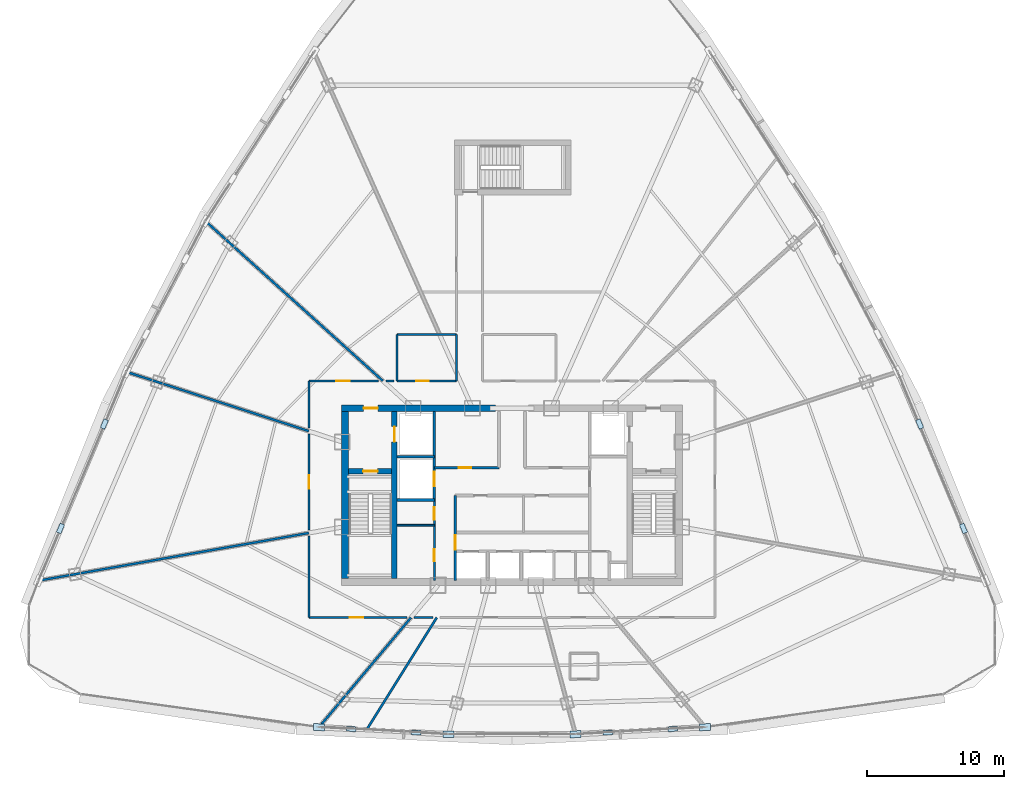
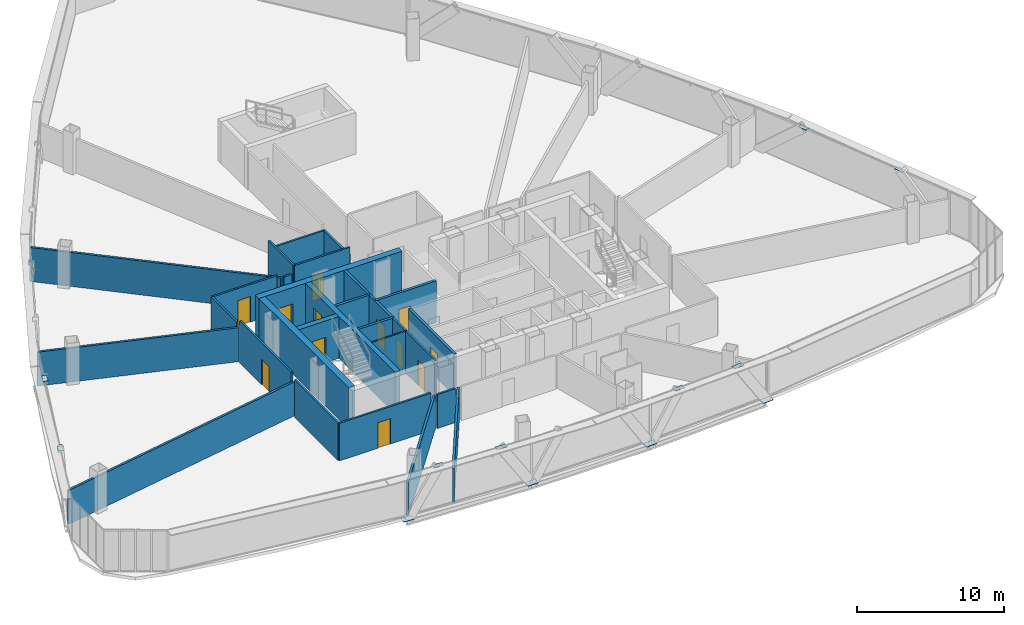
# One storey, part 30 of 37: 27 walls, 12 doors, 12 plates, 12 openings.
"""IFC4 building model written with IfcOpenShell, lengths in metres."""

from ifc_helpers import new_model, si_unit, direction, frame, frame_2d, origin, origin_with_axes, origin_2d, place, context, subcontext, project, spatial, rectangle, extrude, source, transform, mapped, material, layer, layer_set, type_object, element, fill, save


model = new_model("IFC4")

# Units and contexts
model_context = context("Model", 3, precision=1e-05, world=origin(), true_north=direction((0.0, 1.0)))
body_context = subcontext(model_context, "Body", "Model", "MODEL_VIEW")
ifc_project = project(units=[si_unit("LENGTHUNIT", "METRE"), si_unit("AREAUNIT", "SQUARE_METRE"), si_unit("VOLUMEUNIT", "CUBIC_METRE"), si_unit("PLANEANGLEUNIT", "RADIAN"), si_unit("MASSUNIT", "GRAM", prefix="KILO"), si_unit("THERMODYNAMICTEMPERATUREUNIT", "KELVIN"), si_unit("POWERUNIT", "WATT")], contexts=[model_context])

# Site, building, storey
site_placement = place(None, origin())
site = spatial("IfcSite", under=ifc_project, at=site_placement, CompositionType="ELEMENT")
building_placement = place(site_placement, origin())
building = spatial("IfcBuilding", under=site, at=building_placement, Name="Yunzhuo Pagoda Commons", CompositionType="ELEMENT")
storey_placement = place(building_placement, frame((0.0, 0.0, 240.800048828125)))
storey = spatial("IfcBuildingStorey", under=building, at=storey_placement, Name="L60", CompositionType="ELEMENT", Elevation=240.800048828125)

# Plates
ifc_material_1 = material(Name="Structural steel Q355B", Category="steel")
ifc_layer_1 = layer(ifc_material_1, 0.028076171875)
ifc_layer_set_1 = layer_set([ifc_layer_1], Name="Structural steel Q355B")
plate_type = type_object("IfcPlateType", Name="SP-ND1 Lattice Node Cap Plate 800x500x28", PredefinedType="USERDEFINED", material=ifc_layer_set_1)
shared_shape_1 = source(origin(), body_context, "Body", "SweptSolid", [
    extrude(rectangle(XDim=0.800048828125, YDim=0.5, at=origin_2d()), origin(), (0.0, 0.0, 1.0), 0.028076171875),
])
for number, where, z_axis, x_axis, name in (
    (1, (33.890869140625, 16.88525390625, -0.27392578125), (0.0, 0.0, 1.0), (0.998513930245, -0.054497074291, 0.0), "L60 diamond node plate F1.1A"),
    (2, (43.356201171875, 16.36865234375, -0.27392578125), (0.0, 0.0, 1.0), (1.0, 0.0, 0.0), "L60 diamond node plate F1.2A"),
    (3, (52.643798828125, 16.36865234375, -0.27392578125), (0.0, 0.0, 1.0), (0.998513930245, 0.054497074291, 0.0), "L60 diamond node plate F1.3A"),
    (4, (62.109130859375, 16.88525390625, -0.27392578125), (0.0, 0.0, 1.0), (0.998513930245, 0.054497074291, 0.0), "L60 diamond node plate F1.3B"),
):
    element("IfcPlate", number, at=place(storey_placement, frame(where, z_axis=z_axis, x_axis=x_axis)), inside=storey, type_object=plate_type, Name=name, ObjectType="STIFFENER_PLATE", PredefinedType="USERDEFINED", context=body_context, shape_type="MappedRepresentation", body=[
        mapped(shared_shape_1, transform((0.0, 0.0, 0.0), scale=1.0)),
    ])
shared_shape_2 = source(origin(), body_context, "Body", "SweptSolid", [
    extrude(rectangle(XDim=0.699951171875, YDim=0.35009765625, at=origin_2d()), origin(), (0.0, 0.0, 1.0), 0.035888671875),
])
for number, where, z_axis, x_axis, name in (
    (5, (36.257080078125, 16.756103515625, 3.43212890625), (0.0, 0.0, 1.0), (0.998513930245, -0.054497074291, 0.0), "L60 setback lattice tie plate F1.1L"),
    (6, (40.98974609375, 16.497802734375, 3.43212890625), (0.0, 0.0, 1.0), (0.998513930245, -0.054497074291, 0.0), "L60 setback lattice tie plate F1.1R"),
    (7, (55.01025390625, 16.497802734375, 3.43212890625), (0.0, 0.0, 1.0), (0.998513930245, 0.054497074291, 0.0), "L60 setback lattice tie plate F1.3L"),
    (8, (59.742919921875, 16.756103515625, 3.43212890625), (0.0, 0.0, 1.0), (0.998513930245, 0.054497074291, 0.0), "L60 setback lattice tie plate F1.3R"),
    (9, (81.002197265625, 31.4140625, 3.43212890625), (0.0, 0.0, 1.0), (-0.387177679939, 0.922005121546, 0.0), "L60 setback lattice tie plate F2.1L"),
    (10, (77.797607421875, 39.04541015625, 3.43212890625), (0.0, 0.0, 1.0), (-0.387177679939, 0.922005121546, 0.0), "L60 setback lattice tie plate F2.1R"),
    (11, (18.202392578125, 39.04541015625, 3.43212890625), (0.0, 0.0, 1.0), (-0.387177679939, -0.922005121546, 0.0), "L60 setback lattice tie plate F3.3L"),
    (12, (14.997802734375, 31.4140625, 3.43212890625), (0.0, 0.0, 1.0), (-0.387177679939, -0.922005121546, 0.0), "L60 setback lattice tie plate F3.3R"),
):
    element("IfcPlate", number, at=place(storey_placement, frame(where, z_axis=z_axis, x_axis=x_axis)), inside=storey, type_object=plate_type, Name=name, ObjectType="STIFFENER_PLATE", PredefinedType="USERDEFINED", context=body_context, shape_type="MappedRepresentation", body=[
        mapped(shared_shape_2, transform((0.0, 0.0, 0.0), scale=1.0)),
    ])

# Wall, opening, door
ifc_material_2 = material(Name="Concrete C50", Category="concrete")
ifc_layer_2 = layer(ifc_material_2, 0.5)
ifc_layer_set_2 = layer_set([ifc_layer_2], Name="Concrete C50")
wall_type_1 = type_object("IfcWallType", Name="W-C03 Upper Core Shear Wall 500", PredefinedType="SHEAR", material=ifc_layer_set_2)
wall_1_placement = place(storey_placement, frame((35.550048828125, 40.199951171875, 0.0), z_axis=(0.0, 0.0, 1.0), x_axis=(1.0, 0.0, 0.0)))
wall_1 = element("IfcWall", 13, at=wall_1_placement, inside=storey, type_object=wall_type_1, Name="L60 core shear wall NW", PredefinedType="SHEAR", context=body_context, shape_type="SweptSolid", body=[
    extrude(rectangle(XDim=11.25, YDim=0.5, at=frame_2d((5.625, 0.0))), origin(), (0.0, 0.0, 1.0), 3.469970703125),
])
opening_1_placement = place(wall_1_placement, frame((1.60009765625, 0.0, 0.0)))
opening_1 = element("IfcOpeningElement", 14, at=opening_1_placement, cuts=wall_1, Name="Opening D-02", PredefinedType="OPENING", context=body_context, shape_type="SweptSolid", body=[
    extrude(rectangle(XDim=1.050048828125, YDim=2.10009765625, at=frame_2d((0.52490234375, 1.050048828125))), frame((0.0, 0.260009765625, 0.0), z_axis=(0.0, -1.0, 0.0), x_axis=(1.0, 0.0, 0.0)), (0.0, 0.0, 1.0), 0.52001953125),
])
ifc_material_3 = material(Name="Galvanized fire-resisting metal leaf")
door_type_1 = type_object("IfcDoorType", Name="D-02 Firefighting Lobby & Refuge Fire Door 1050x2100", OperationType="NOTDEFINED", PredefinedType="DOOR", material=ifc_material_3)
shared_shape_3 = source(origin(), body_context, "Body", "SweptSolid", [
    extrude(rectangle(XDim=1.050048828125, YDim=2.10009765625, at=frame_2d((0.52490234375, 1.050048828125))), frame((0.0, 0.02490234375, 0.0), z_axis=(0.0, -1.0, 0.0), x_axis=(1.0, 0.0, 0.0)), (0.0, 0.0, 1.0), 0.050048828125),
])
door_1_placement = place(opening_1_placement, frame((1.050048828125, 0.0, 0.0), z_axis=(0.0, 0.0, 1.0), x_axis=(-1.0, 0.0, 0.0)))
door_1 = element("IfcDoor", 15, at=door_1_placement, inside=storey, type_object=door_type_1, Name="L60 Firefighting Lobby 1 fire door", OperationType="SINGLE_SWING_LEFT", OverallHeight=2.10009765625, OverallWidth=1.050048828125, PredefinedType="DOOR", context=body_context, shape_type="MappedRepresentation", body=[
    mapped(shared_shape_3, transform((0.0, 0.0, 0.0), scale=1.0)),
])
fill(opening_1, door_1)

# Wall
wall_2_placement = place(storey_placement, frame((35.800048828125, 27.75, 0.0), z_axis=(0.0, 0.0, 1.0), x_axis=(0.0, 1.0, 0.0)))
element("IfcWall", 16, at=wall_2_placement, inside=storey, type_object=wall_type_1, Name="L60 core shear wall W", PredefinedType="SHEAR", context=body_context, shape_type="SweptSolid", body=[
    extrude(rectangle(XDim=12.199951171875, YDim=0.5, at=frame_2d((6.10009765625, 0.0))), origin(), (0.0, 0.0, 1.0), 3.469970703125),
])

# Wall, openings, doors
ifc_material_4 = material(Name="Gypsum plasterboard on acoustic stud")
ifc_layer_3 = layer(ifc_material_4, 0.14990234375)
ifc_layer_set_3 = layer_set([ifc_layer_3], Name="Gypsum plasterboard on acoustic stud")
wall_type_2 = type_object("IfcWallType", Name="W-COR3 High-Zone Rated Corridor Wall 150", PredefinedType="PARTITIONING", material=ifc_layer_set_3)
wall_3_placement = place(storey_placement, frame((42.320068359375, 27.60009765625, 0.0), z_axis=(0.0, 0.0, 1.0), x_axis=(0.0, 1.0, 0.0)))
wall_3 = element("IfcWall", 17, at=wall_3_placement, inside=storey, type_object=wall_type_2, Name="L60 interior wall IW-L60-CSWE", PredefinedType="PARTITIONING", context=body_context, shape_type="SweptSolid", body=[
    extrude(rectangle(XDim=5.89990234375, YDim=0.14990234375, at=frame_2d((2.949951171875, 0.0))), origin(), (0.0, 0.0, 1.0), 3.469970703125),
])
opening_2_placement = place(wall_3_placement, frame((1.39990234375, 0.0, 0.0)))
opening_2 = element("IfcOpeningElement", 18, at=opening_2_placement, cuts=wall_3, Name="Opening D-03", PredefinedType="OPENING", context=body_context, shape_type="SweptSolid", body=[
    extrude(rectangle(XDim=0.89990234375, YDim=2.10009765625, at=frame_2d((0.449951171875, 1.050048828125))), frame((0.0, 0.0849609375, 0.0), z_axis=(0.0, -1.0, 0.0), x_axis=(1.0, 0.0, 0.0)), (0.0, 0.0, 1.0), 0.169921875),
])
opening_3_placement = place(wall_3_placement, frame((4.449951171875, 0.0, 0.0)))
opening_3 = element("IfcOpeningElement", 19, at=opening_3_placement, cuts=wall_3, Name="Opening D-03", PredefinedType="OPENING", context=body_context, shape_type="SweptSolid", body=[
    extrude(rectangle(XDim=0.89990234375, YDim=2.10009765625, at=frame_2d((0.449951171875, 1.050048828125))), frame((0.0, 0.0849609375, 0.0), z_axis=(0.0, -1.0, 0.0), x_axis=(1.0, 0.0, 0.0)), (0.0, 0.0, 1.0), 0.169921875),
])
door_type_2 = type_object("IfcDoorType", Name="D-03 Core Service Fire Door 900x2100", OperationType="NOTDEFINED", PredefinedType="DOOR", material=ifc_material_3)
shared_shape_4 = source(origin(), body_context, "Body", "SweptSolid", [
    extrude(rectangle(XDim=0.89990234375, YDim=2.10009765625, at=frame_2d((0.449951171875, 1.050048828125))), frame((0.0, 0.02490234375, 0.0), z_axis=(0.0, -1.0, 0.0), x_axis=(1.0, 0.0, 0.0)), (0.0, 0.0, 1.0), 0.050048828125),
])
door_2_placement = place(opening_2_placement, origin_with_axes())
door_2 = element("IfcDoor", 20, at=door_2_placement, inside=storey, type_object=door_type_2, Name="L60 service store door", OperationType="SINGLE_SWING_LEFT", OverallHeight=2.10009765625, OverallWidth=0.89990234375, PredefinedType="DOOR", context=body_context, shape_type="MappedRepresentation", body=[
    mapped(shared_shape_4, transform((0.0, 0.0, 0.0), scale=1.0)),
])
fill(opening_2, door_2)
door_3_placement = place(opening_3_placement, origin_with_axes())
door_3 = element("IfcDoor", 21, at=door_3_placement, inside=storey, type_object=door_type_2, Name="L60 switch closet door", OperationType="SINGLE_SWING_RIGHT", OverallHeight=2.10009765625, OverallWidth=0.89990234375, PredefinedType="DOOR", context=body_context, shape_type="MappedRepresentation", body=[
    mapped(shared_shape_4, transform((0.0, 0.0, 0.0), scale=1.0)),
])
fill(opening_3, door_3)

# Wall, opening, door
wall_4_placement = place(storey_placement, frame((39.60009765625, 42.199951171875, 0.0), z_axis=(0.0, 0.0, 1.0), x_axis=(1.0, 0.0, 0.0)))
wall_4 = element("IfcWall", 22, at=wall_4_placement, inside=storey, type_object=wall_type_2, Name="L60 interior wall IW-L60-TFWS", PredefinedType="PARTITIONING", context=body_context, shape_type="SweptSolid", body=[
    extrude(rectangle(XDim=4.349853515625, YDim=0.14990234375, at=frame_2d((2.1748046875, 0.0))), origin(), (0.0, 0.0, 1.0), 3.469970703125),
])
opening_4_placement = place(wall_4_placement, frame((1.39990234375, 0.0, 0.0)))
opening_4 = element("IfcOpeningElement", 23, at=opening_4_placement, cuts=wall_4, Name="Opening D-04", PredefinedType="OPENING", context=body_context, shape_type="SweptSolid", body=[
    extrude(rectangle(XDim=0.919921875, YDim=2.10009765625, at=frame_2d((0.4599609375, 1.050048828125))), frame((0.0, 0.0849609375, 0.0), z_axis=(0.0, -1.0, 0.0), x_axis=(1.0, 0.0, 0.0)), (0.0, 0.0, 1.0), 0.169921875),
])
ifc_material_5 = material(Name="Powder-coated aluminium and timber acoustic leaf", Category="wood")
door_type_3 = type_object("IfcDoorType", Name="D-04 Bedroom & Study Interior Door 920x2100", OperationType="NOTDEFINED", PredefinedType="DOOR", material=ifc_material_5)
shared_shape_5 = source(origin(), body_context, "Body", "SweptSolid", [
    extrude(rectangle(XDim=0.919921875, YDim=2.10009765625, at=frame_2d((0.4599609375, 1.050048828125))), frame((0.0, 0.02490234375, 0.0), z_axis=(0.0, -1.0, 0.0), x_axis=(1.0, 0.0, 0.0)), (0.0, 0.0, 1.0), 0.050048828125),
])
door_4_placement = place(opening_4_placement, frame((0.919921875, 0.0, 0.0), z_axis=(0.0, 0.0, 1.0), x_axis=(-1.0, 0.0, 0.0)))
door_4 = element("IfcDoor", 24, at=door_4_placement, inside=storey, type_object=door_type_3, Name="L60 laundry door", OperationType="SINGLE_SWING_LEFT", OverallHeight=2.10009765625, OverallWidth=0.919921875, PredefinedType="DOOR", context=body_context, shape_type="MappedRepresentation", body=[
    mapped(shared_shape_5, transform((0.0, 0.0, 0.0), scale=1.0)),
])
fill(opening_4, door_4)

# Walls
wall_5_placement = place(storey_placement, frame((39.60009765625, 45.60009765625, 0.0), z_axis=(0.0, 0.0, 1.0), x_axis=(1.0, 0.0, 0.0)))
element("IfcWall", 25, at=wall_5_placement, inside=storey, type_object=wall_type_2, Name="L60 interior wall IW-L60-TFWN", PredefinedType="PARTITIONING", context=body_context, shape_type="SweptSolid", body=[
    extrude(rectangle(XDim=4.349853515625, YDim=0.14990234375, at=frame_2d((2.1748046875, 0.0))), origin(), (0.0, 0.0, 1.0), 2.820068359375),
])
wall_6_placement = place(storey_placement, frame((39.60009765625, 42.199951171875, 0.0), z_axis=(0.0, 0.0, 1.0), x_axis=(0.0, 1.0, 0.0)))
element("IfcWall", 26, at=wall_6_placement, inside=storey, type_object=wall_type_2, Name="L60 interior wall IW-L60-TFWW", PredefinedType="PARTITIONING", context=body_context, shape_type="SweptSolid", body=[
    extrude(rectangle(XDim=3.400146484375, YDim=0.14990234375, at=frame_2d((1.7001953125, 0.0))), origin(), (0.0, 0.0, 1.0), 3.469970703125),
])
wall_7_placement = place(storey_placement, frame((43.949951171875, 42.199951171875, 0.0), z_axis=(0.0, 0.0, 1.0), x_axis=(0.0, 1.0, 0.0)))
element("IfcWall", 27, at=wall_7_placement, inside=storey, type_object=wall_type_2, Name="L60 interior wall IW-L60-TFWE", PredefinedType="PARTITIONING", context=body_context, shape_type="SweptSolid", body=[
    extrude(rectangle(XDim=3.400146484375, YDim=0.14990234375, at=frame_2d((1.7001953125, 0.0))), origin(), (0.0, 0.0, 1.0), 2.820068359375),
])
wall_8_placement = place(storey_placement, frame((33.14990234375, 24.89990234375, 0.0), z_axis=(0.0, 0.0, 1.0), x_axis=(0.0, 1.0, 0.0)))
element("IfcWall", 28, at=wall_8_placement, inside=storey, type_object=wall_type_2, Name="L60 interior wall IW-L60-CWL01", PredefinedType="PARTITIONING", context=body_context, shape_type="SweptSolid", body=[
    extrude(rectangle(XDim=5.958251953125, YDim=0.14990234375, at=frame_2d((2.97900390625, 0.0))), origin(), (0.0, 0.0, 1.0), 3.119873046875),
])

# Wall, opening, door
wall_9_placement = place(storey_placement, frame((33.14990234375, 31.30126953125, 0.0), z_axis=(0.0, 0.0, 1.0), x_axis=(0.0, 1.0, 0.0)))
wall_9 = element("IfcWall", 29, at=wall_9_placement, inside=storey, type_object=wall_type_2, Name="L60 interior wall IW-L60-CWL02", PredefinedType="PARTITIONING", context=body_context, shape_type="SweptSolid", body=[
    extrude(rectangle(XDim=7.004150390625, YDim=0.14990234375, at=frame_2d((3.501953125, 0.0))), origin(), (0.0, 0.0, 1.0), 3.469970703125),
])
opening_5_placement = place(wall_9_placement, frame((3.027099609375, 0.0, 0.0)))
opening_5 = element("IfcOpeningElement", 30, at=opening_5_placement, cuts=wall_9, Name="Opening D-08", PredefinedType="OPENING", context=body_context, shape_type="SweptSolid", body=[
    extrude(rectangle(XDim=0.97998046875, YDim=2.1201171875, at=frame_2d((0.489990234375, 1.06005859375))), frame((0.0, 0.0849609375, 0.0), z_axis=(0.0, -1.0, 0.0), x_axis=(1.0, 0.0, 0.0)), (0.0, 0.0, 1.0), 0.169921875),
])
door_type_4 = type_object("IfcDoorType", Name="D-08 High-Zone Suite Entrance Fire Door 980x2120", OperationType="NOTDEFINED", PredefinedType="DOOR", material=ifc_material_3)
shared_shape_6 = source(origin(), body_context, "Body", "SweptSolid", [
    extrude(rectangle(XDim=0.97998046875, YDim=2.1201171875, at=frame_2d((0.489990234375, 1.06005859375))), frame((0.0, 0.02490234375, 0.0), z_axis=(0.0, -1.0, 0.0), x_axis=(1.0, 0.0, 0.0)), (0.0, 0.0, 1.0), 0.050048828125),
])
door_5_placement = place(opening_5_placement, origin_with_axes())
door_5 = element("IfcDoor", 31, at=door_5_placement, inside=storey, type_object=door_type_4, Name="L60 unit 07 entrance door", OperationType="SINGLE_SWING_RIGHT", OverallHeight=2.1201171875, OverallWidth=0.97998046875, PredefinedType="DOOR", context=body_context, shape_type="MappedRepresentation", body=[
    mapped(shared_shape_6, transform((0.0, 0.0, 0.0), scale=1.0)),
])
fill(opening_5, door_5)

# Wall
wall_10_placement = place(storey_placement, frame((33.14990234375, 38.75634765625, 0.0), z_axis=(0.0, 0.0, 1.0), x_axis=(0.0, 1.0, 0.0)))
element("IfcWall", 32, at=wall_10_placement, inside=storey, type_object=wall_type_2, Name="L60 interior wall IW-L60-CWL03", PredefinedType="PARTITIONING", context=body_context, shape_type="SweptSolid", body=[
    extrude(rectangle(XDim=3.443603515625, YDim=0.14990234375, at=frame_2d((1.7216796875, 0.0))), origin(), (0.0, 0.0, 1.0), 3.119873046875),
])

# Wall, opening, door
wall_11_placement = place(storey_placement, frame((33.14990234375, 42.199951171875, 0.0), z_axis=(0.0, 0.0, 1.0), x_axis=(1.0, 0.0, 0.0)))
wall_11 = element("IfcWall", 33, at=wall_11_placement, inside=storey, type_object=wall_type_2, Name="L60 interior wall IW-L60-CWL04", PredefinedType="PARTITIONING", context=body_context, shape_type="SweptSolid", body=[
    extrude(rectangle(XDim=5.0810546875, YDim=0.14990234375, at=frame_2d((2.54052734375, 0.0))), origin(), (0.0, 0.0, 1.0), 3.119873046875),
])
opening_6_placement = place(wall_11_placement, frame((2.0, 0.0, 0.0)))
opening_6 = element("IfcOpeningElement", 34, at=opening_6_placement, cuts=wall_11, Name="Opening D-08", PredefinedType="OPENING", context=body_context, shape_type="SweptSolid", body=[
    extrude(rectangle(XDim=0.97998046875, YDim=2.1201171875, at=frame_2d((0.489990234375, 1.06005859375))), frame((0.0, 0.0849609375, 0.0), z_axis=(0.0, -1.0, 0.0), x_axis=(1.0, 0.0, 0.0)), (0.0, 0.0, 1.0), 0.169921875),
])
door_6_placement = place(opening_6_placement, origin_with_axes())
door_6 = element("IfcDoor", 35, at=door_6_placement, inside=storey, type_object=door_type_4, Name="L60 unit 06 entrance door", OperationType="SINGLE_SWING_LEFT", OverallHeight=2.1201171875, OverallWidth=0.97998046875, PredefinedType="DOOR", context=body_context, shape_type="MappedRepresentation", body=[
    mapped(shared_shape_6, transform((0.0, 0.0, 0.0), scale=1.0)),
])
fill(opening_6, door_6)

# Walls
wall_12_placement = place(storey_placement, frame((38.779541015625, 42.199951171875, 0.0), z_axis=(0.0, 0.0, 1.0), x_axis=(1.0, 0.0, 0.0)))
element("IfcWall", 36, at=wall_12_placement, inside=storey, type_object=wall_type_2, Name="L60 interior wall IW-L60-CWL05", PredefinedType="PARTITIONING", context=body_context, shape_type="SweptSolid", body=[
    extrude(rectangle(XDim=0.600341796875, YDim=0.14990234375, at=frame_2d((0.30029296875, 0.0))), origin(), (0.0, 0.0, 1.0), 2.820068359375),
])
wall_13_placement = place(storey_placement, frame((42.24169921875, 24.89990234375, 0.0), z_axis=(0.0, 0.0, 1.0), x_axis=(-1.0, 0.0, 0.0)))
element("IfcWall", 37, at=wall_13_placement, inside=storey, type_object=wall_type_2, Name="L60 interior wall IW-L60-CWL17", PredefinedType="PARTITIONING", context=body_context, shape_type="SweptSolid", body=[
    extrude(rectangle(XDim=1.406005859375, YDim=0.14990234375, at=frame_2d((0.703125, 0.0))), origin(), (0.0, 0.0, 1.0), 2.820068359375),
])

# Wall, opening, door
wall_14_placement = place(storey_placement, frame((40.32861328125, 24.89990234375, 0.0), z_axis=(0.0, 0.0, 1.0), x_axis=(-1.0, 0.0, 0.0)))
wall_14 = element("IfcWall", 38, at=wall_14_placement, inside=storey, type_object=wall_type_2, Name="L60 interior wall IW-L60-CWL18", PredefinedType="PARTITIONING", context=body_context, shape_type="SweptSolid", body=[
    extrude(rectangle(XDim=7.1787109375, YDim=0.14990234375, at=frame_2d((3.58935546875, 0.0))), origin(), (0.0, 0.0, 1.0), 3.119873046875),
])
opening_7_placement = place(wall_14_placement, frame((3.20068359375, 0.0, 0.0)))
opening_7 = element("IfcOpeningElement", 39, at=opening_7_placement, cuts=wall_14, Name="Opening D-08", PredefinedType="OPENING", context=body_context, shape_type="SweptSolid", body=[
    extrude(rectangle(XDim=0.97998046875, YDim=2.1201171875, at=frame_2d((0.489990234375, 1.06005859375))), frame((0.0, 0.0849609375, 0.0), z_axis=(0.0, -1.0, 0.0), x_axis=(1.0, 0.0, 0.0)), (0.0, 0.0, 1.0), 0.169921875),
])
door_7_placement = place(opening_7_placement, origin_with_axes())
door_7 = element("IfcDoor", 40, at=door_7_placement, inside=storey, type_object=door_type_4, Name="L60 unit 08 entrance door", OperationType="SINGLE_SWING_LEFT", OverallHeight=2.1201171875, OverallWidth=0.97998046875, PredefinedType="DOOR", context=body_context, shape_type="MappedRepresentation", body=[
    mapped(shared_shape_6, transform((0.0, 0.0, 0.0), scale=1.0)),
])
fill(opening_7, door_7)

# Walls
ifc_layer_4 = layer(ifc_material_4, 0.1201171875)
ifc_layer_set_4 = layer_set([ifc_layer_4], Name="Gypsum plasterboard on acoustic stud")
wall_type_3 = type_object("IfcWallType", Name="W-PRT1 Suite & Bathroom Partition 120", PredefinedType="PARTITIONING", material=ifc_layer_set_4)
wall_15_placement = place(storey_placement, frame((39.60009765625, 31.64990234375, 0.0), z_axis=(0.0, 0.0, 1.0), x_axis=(1.0, 0.0, 0.0)))
element("IfcWall", 41, at=wall_15_placement, inside=storey, type_object=wall_type_3, Name="L60 interior wall IW-L60-CD1", PredefinedType="PARTITIONING", context=body_context, shape_type="SweptSolid", body=[
    extrude(rectangle(XDim=2.719970703125, YDim=0.1201171875, at=frame_2d((1.35986328125, 0.0))), origin(), (0.0, 0.0, 1.0), 3.469970703125),
])
ifc_layer_5 = layer(ifc_material_4, 0.169921875)
ifc_layer_set_5 = layer_set([ifc_layer_5], Name="Gypsum plasterboard on acoustic stud")
wall_type_4 = type_object("IfcWallType", Name="W-PRT4 High-Zone Demising Wall 170", PredefinedType="PARTITIONING", material=ifc_layer_set_5)
wall_16_placement = place(storey_placement, frame((38.559814453125, 42.199951171875, 0.0), z_axis=(0.0, 0.0, 1.0), x_axis=(-0.743140424774, 0.669135493802, 0.0)))
element("IfcWall", 42, at=wall_16_placement, inside=storey, type_object=wall_type_4, Name="L60 interior wall IW-L60-RAD05", PredefinedType="PARTITIONING", context=body_context, shape_type="SweptSolid", body=[
    extrude(rectangle(XDim=17.454833984375, YDim=0.169921875, at=frame_2d((8.7275390625, 0.0))), origin(), (0.0, 0.0, 1.0), 2.820068359375),
])
wall_17_placement = place(storey_placement, frame((33.14990234375, 38.525146484375, 0.0), z_axis=(0.0, 0.0, 1.0), x_axis=(-0.951060404644, 0.309005027011, 0.0)))
element("IfcWall", 43, at=wall_17_placement, inside=storey, type_object=wall_type_4, Name="L60 interior wall IW-L60-RAD06", PredefinedType="PARTITIONING", context=body_context, shape_type="SweptSolid", body=[
    extrude(rectangle(XDim=14.031982421875, YDim=0.169921875, at=frame_2d((7.01611328125, 0.0))), origin(), (0.0, 0.0, 1.0), 2.820068359375),
])
wall_18_placement = place(storey_placement, frame((33.14990234375, 31.08154296875, 0.0), z_axis=(0.0, 0.0, 1.0), x_axis=(-0.984808421785, -0.173644384824, 0.0)))
element("IfcWall", 44, at=wall_18_placement, inside=storey, type_object=wall_type_4, Name="L60 interior wall IW-L60-RAD07", PredefinedType="PARTITIONING", context=body_context, shape_type="SweptSolid", body=[
    extrude(rectangle(XDim=20.05908203125, YDim=0.169921875, at=frame_2d((10.029541015625, 0.0))), origin(), (0.0, 0.0, 1.0), 2.820068359375),
])
wall_19_placement = place(storey_placement, frame((40.615966796875, 24.89990234375, 0.0), z_axis=(0.0, 0.0, 1.0), x_axis=(-0.642788120563, -0.766044014443, 0.0)))
element("IfcWall", 45, at=wall_19_placement, inside=storey, type_object=wall_type_4, Name="L60 interior wall IW-L60-RAD08", PredefinedType="PARTITIONING", context=body_context, shape_type="SweptSolid", body=[
    extrude(rectangle(XDim=10.46240234375, YDim=0.169921875, at=frame_2d((5.231201171875, 0.0))), origin(), (0.0, 0.0, 1.0), 2.820068359375),
])
wall_20_placement = place(storey_placement, frame((42.501220703125, 24.89990234375, 0.0), z_axis=(0.0, 0.0, 1.0), x_axis=(-0.529930889386, -0.848040831844, 0.0)))
element("IfcWall", 46, at=wall_20_placement, inside=storey, type_object=wall_type_4, Name="L60 interior wall IW-L60-RAD09", PredefinedType="PARTITIONING", context=body_context, shape_type="SweptSolid", body=[
    extrude(rectangle(XDim=9.6748046875, YDim=0.169921875, at=frame_2d((4.83740234375, 0.0))), origin(), (0.0, 0.0, 1.0), 2.820068359375),
])

# Wall, opening, door
ifc_material_6 = material(Name="Concrete C60", Category="concrete")
ifc_layer_6 = layer(ifc_material_6, 0.39990234375)
ifc_layer_set_6 = layer_set([ifc_layer_6], Name="Concrete C60")
wall_type_5 = type_object("IfcWallType", Name="W-S01 Internal Core Shear Web 400", PredefinedType="SHEAR", material=ifc_layer_set_6)
wall_21_placement = place(storey_placement, frame((39.39990234375, 27.75, 0.0), z_axis=(0.0, 0.0, 1.0), x_axis=(0.0, 1.0, 0.0)))
wall_21 = element("IfcWall", 47, at=wall_21_placement, inside=storey, type_object=wall_type_5, Name="L60 core shear wall WEBW", PredefinedType="SHEAR", context=body_context, shape_type="SweptSolid", body=[
    extrude(rectangle(XDim=12.199951171875, YDim=0.39990234375, at=frame_2d((6.10009765625, 0.0))), origin(), (0.0, 0.0, 1.0), 3.469970703125),
])
opening_8_placement = place(wall_21_placement, frame((10.0, 0.0, 0.0)))
opening_8 = element("IfcOpeningElement", 48, at=opening_8_placement, cuts=wall_21, Name="Opening LD-01", PredefinedType="OPENING", context=body_context, shape_type="SweptSolid", body=[
    extrude(rectangle(XDim=1.10009765625, YDim=2.10009765625, at=frame_2d((0.550048828125, 1.050048828125))), frame((0.0, 0.2099609375, 0.0), z_axis=(0.0, -1.0, 0.0), x_axis=(1.0, 0.0, 0.0)), (0.0, 0.0, 1.0), 0.419921875),
])
door_type_5 = type_object("IfcDoorType", Name="LD-01 Firefighting Lift Landing Door 1100x2100", OperationType="DOUBLE_DOOR_SLIDING", PredefinedType="DOOR", material=ifc_material_3)
shared_shape_7 = source(origin(), body_context, "Body", "SweptSolid", [
    extrude(rectangle(XDim=1.10009765625, YDim=2.10009765625, at=frame_2d((0.550048828125, 1.050048828125))), frame((0.0, 0.02490234375, 0.0), z_axis=(0.0, -1.0, 0.0), x_axis=(1.0, 0.0, 0.0)), (0.0, 0.0, 1.0), 0.050048828125),
])
door_8_placement = place(opening_8_placement, frame((1.10009765625, 0.0, 0.0), z_axis=(0.0, 0.0, 1.0), x_axis=(-1.0, 0.0, 0.0)))
door_8 = element("IfcDoor", 49, at=door_8_placement, inside=storey, type_object=door_type_5, Name="L60 Firefighting lift FL-1 landing door", OperationType="DOUBLE_DOOR_SLIDING", OverallHeight=2.10009765625, OverallWidth=1.10009765625, PredefinedType="DOOR", context=body_context, shape_type="MappedRepresentation", body=[
    mapped(shared_shape_7, transform((0.0, 0.0, 0.0), scale=1.0)),
])
fill(opening_8, door_8)

wall_22_placement = place(storey_placement, frame((36.050048828125, 35.60009765625, 0.0), z_axis=(0.0, 0.0, 1.0), x_axis=(1.0, 0.0, 0.0)))
wall_22 = element("IfcWall", 50, at=wall_22_placement, inside=storey, type_object=wall_type_5, Name="L60 core shear wall STW", PredefinedType="SHEAR", context=body_context, shape_type="SweptSolid", body=[
    extrude(rectangle(XDim=3.14990234375, YDim=0.39990234375, at=frame_2d((1.574951171875, 0.0))), origin(), (0.0, 0.0, 1.0), 3.469970703125),
])
opening_9_placement = place(wall_22_placement, frame((1.070068359375, 0.0, 0.0)))
opening_9 = element("IfcOpeningElement", 51, at=opening_9_placement, cuts=wall_22, Name="Opening D-01", PredefinedType="OPENING", context=body_context, shape_type="SweptSolid", body=[
    extrude(rectangle(XDim=1.050048828125, YDim=2.10009765625, at=frame_2d((0.52490234375, 1.050048828125))), frame((0.0, 0.2099609375, 0.0), z_axis=(0.0, -1.0, 0.0), x_axis=(1.0, 0.0, 0.0)), (0.0, 0.0, 1.0), 0.419921875),
])
door_type_6 = type_object("IfcDoorType", Name="D-01 Smokeproof Stair Fire Door 1050x2100", OperationType="NOTDEFINED", PredefinedType="DOOR", material=ifc_material_3)
door_9_placement = place(opening_9_placement, frame((1.050048828125, 0.0, 0.0), z_axis=(0.0, 0.0, 1.0), x_axis=(-1.0, 0.0, 0.0)))
door_9 = element("IfcDoor", 52, at=door_9_placement, inside=storey, type_object=door_type_6, Name="L60 Stair ST1 fire door", OperationType="SINGLE_SWING_LEFT", OverallHeight=2.10009765625, OverallWidth=1.050048828125, PredefinedType="DOOR", context=body_context, shape_type="MappedRepresentation", body=[
    mapped(shared_shape_3, transform((0.0, 0.0, 0.0), scale=1.0)),
])
fill(opening_9, door_9)

ifc_material_7 = material(Name="Concrete C40", Category="concrete")
ifc_layer_7 = layer(ifc_material_7, 0.199951171875)
ifc_layer_set_7 = layer_set([ifc_layer_7], Name="Concrete C40")
wall_type_6 = type_object("IfcWallType", Name="W-SHF Shaft & Stair Enclosure Wall 200", PredefinedType="SOLIDWALL", material=ifc_layer_set_7)
wall_23_placement = place(storey_placement, frame((42.320068359375, 33.5, 0.0), z_axis=(0.0, 0.0, 1.0), x_axis=(0.0, 1.0, 0.0)))
wall_23 = element("IfcWall", 53, at=wall_23_placement, inside=storey, type_object=wall_type_6, Name="L60 interior wall IW-L60-FL1E", PredefinedType="SOLIDWALL", context=body_context, shape_type="SweptSolid", body=[
    extrude(rectangle(XDim=6.449951171875, YDim=0.199951171875, at=frame_2d((3.22509765625, 0.0))), origin(), (0.0, 0.0, 1.0), 3.469970703125),
])
opening_10_placement = place(wall_23_placement, frame((1.0, 0.0, 0.0)))
opening_10 = element("IfcOpeningElement", 54, at=opening_10_placement, cuts=wall_23, Name="Opening LD-02", PredefinedType="OPENING", context=body_context, shape_type="SweptSolid", body=[
    extrude(rectangle(XDim=1.050048828125, YDim=2.10009765625, at=frame_2d((0.52490234375, 1.050048828125))), frame((0.0, 0.10986328125, 0.0), z_axis=(0.0, -1.0, 0.0), x_axis=(1.0, 0.0, 0.0)), (0.0, 0.0, 1.0), 0.219970703125),
])
door_type_7 = type_object("IfcDoorType", Name="LD-02 Passenger Lift Landing Door 1050x2100", OperationType="DOUBLE_DOOR_SLIDING", PredefinedType="DOOR", material=ifc_material_3)
door_10_placement = place(opening_10_placement, origin_with_axes())
door_10 = element("IfcDoor", 55, at=door_10_placement, inside=storey, type_object=door_type_7, Name="L60 Service lift SL-1 landing door", OperationType="DOUBLE_DOOR_SLIDING", OverallHeight=2.10009765625, OverallWidth=1.050048828125, PredefinedType="DOOR", context=body_context, shape_type="MappedRepresentation", body=[
    mapped(shared_shape_3, transform((0.0, 0.0, 0.0), scale=1.0)),
])
fill(opening_10, door_10)

# Walls
for number, where, z_axis, x_axis, name in (
    (56, (39.60009765625, 36.64990234375, 0.0), (0.0, 0.0, 1.0), (1.0, 0.0, 0.0), "L60 interior wall IW-L60-FL1S"),
    (57, (39.60009765625, 33.5, 0.0), (0.0, 0.0, 1.0), (1.0, 0.0, 0.0), "L60 interior wall IW-L60-SL1S"),
):
    element("IfcWall", number, at=place(storey_placement, frame(where, z_axis=z_axis, x_axis=x_axis)), inside=storey, type_object=wall_type_6, Name=name, PredefinedType="SOLIDWALL", context=body_context, shape_type="SweptSolid", body=[
        extrude(rectangle(XDim=2.719970703125, YDim=0.199951171875, at=frame_2d((1.35986328125, 0.0))), origin(), (0.0, 0.0, 1.0), 3.469970703125),
    ])

# Wall, opening, door
wall_24_placement = place(storey_placement, frame((42.320068359375, 35.85009765625, 0.0), z_axis=(0.0, 0.0, 1.0), x_axis=(1.0, 0.0, 0.0)))
wall_24 = element("IfcWall", 58, at=wall_24_placement, inside=storey, type_object=wall_type_6, Name="L60 interior wall IW-L60-LBNW", PredefinedType="SOLIDWALL", context=body_context, shape_type="SweptSolid", body=[
    extrude(rectangle(XDim=4.72998046875, YDim=0.199951171875, at=frame_2d((2.364990234375, 0.0))), origin(), (0.0, 0.0, 1.0), 3.469970703125),
])
opening_11_placement = place(wall_24_placement, frame((1.800048828125, 0.0, 0.0)))
opening_11 = element("IfcOpeningElement", 59, at=opening_11_placement, cuts=wall_24, Name="Opening D-03", PredefinedType="OPENING", context=body_context, shape_type="SweptSolid", body=[
    extrude(rectangle(XDim=0.89990234375, YDim=2.10009765625, at=frame_2d((0.449951171875, 1.050048828125))), frame((0.0, 0.10986328125, 0.0), z_axis=(0.0, -1.0, 0.0), x_axis=(1.0, 0.0, 0.0)), (0.0, 0.0, 1.0), 0.219970703125),
])
door_11_placement = place(opening_11_placement, frame((0.89990234375, 0.0, 0.0), z_axis=(0.0, 0.0, 1.0), x_axis=(-1.0, 0.0, 0.0)))
door_11 = element("IfcDoor", 60, at=door_11_placement, inside=storey, type_object=door_type_2, Name="L60 core west store door", OperationType="SINGLE_SWING_LEFT", OverallHeight=2.10009765625, OverallWidth=0.89990234375, PredefinedType="DOOR", context=body_context, shape_type="MappedRepresentation", body=[
    mapped(shared_shape_4, transform((0.0, 0.0, 0.0), scale=1.0)),
])
fill(opening_11, door_11)

wall_25_placement = place(storey_placement, frame((43.85009765625, 27.60009765625, 0.0), z_axis=(0.0, 0.0, 1.0), x_axis=(0.0, 1.0, 0.0)))
wall_25 = element("IfcWall", 61, at=wall_25_placement, inside=storey, type_object=wall_type_6, Name="L60 interior wall IW-L60-PLMW", PredefinedType="SOLIDWALL", context=body_context, shape_type="SweptSolid", body=[
    extrude(rectangle(XDim=6.219970703125, YDim=0.199951171875, at=frame_2d((3.10986328125, 0.0))), origin(), (0.0, 0.0, 1.0), 3.469970703125),
])
opening_12_placement = place(wall_25_placement, frame((2.25, 0.0, 0.0)))
opening_12 = element("IfcOpeningElement", 62, at=opening_12_placement, cuts=wall_25, Name="Opening D-02", PredefinedType="OPENING", context=body_context, shape_type="SweptSolid", body=[
    extrude(rectangle(XDim=1.050048828125, YDim=2.10009765625, at=frame_2d((0.52490234375, 1.050048828125))), frame((0.0, 0.10986328125, 0.0), z_axis=(0.0, -1.0, 0.0), x_axis=(1.0, 0.0, 0.0)), (0.0, 0.0, 1.0), 0.219970703125),
])
door_12_placement = place(opening_12_placement, frame((1.050048828125, 0.0, 0.0), z_axis=(0.0, 0.0, 1.0), x_axis=(-1.0, 0.0, 0.0)))
door_12 = element("IfcDoor", 63, at=door_12_placement, inside=storey, type_object=door_type_1, Name="L60 High-bank hall west door", OperationType="SINGLE_SWING_LEFT", OverallHeight=2.10009765625, OverallWidth=1.050048828125, PredefinedType="DOOR", context=body_context, shape_type="MappedRepresentation", body=[
    mapped(shared_shape_3, transform((0.0, 0.0, 0.0), scale=1.0)),
])
fill(opening_12, door_12)

save(model, "model.ifc")
